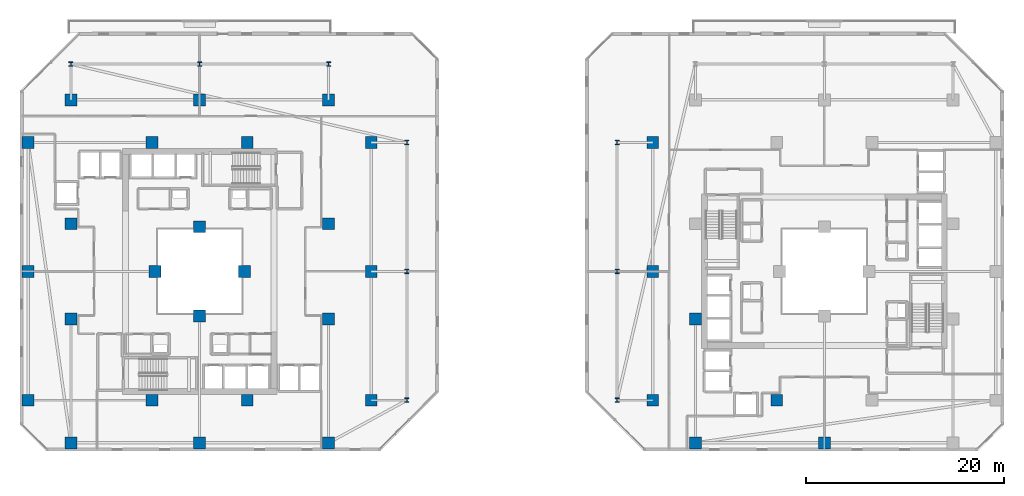
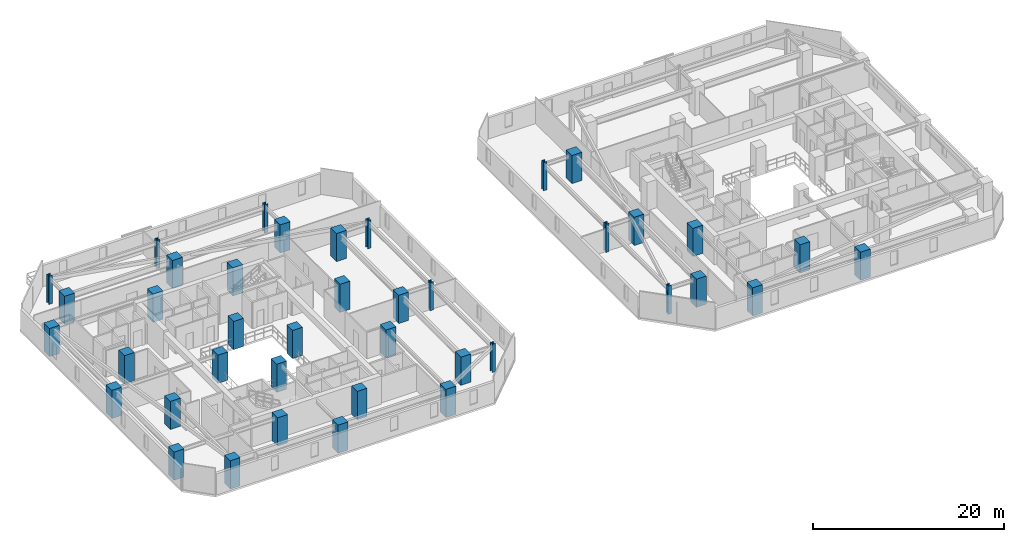
# One storey, part 1 of 30: 40 columns.
"""IFC4 building model written with IfcOpenShell, lengths in metres."""

from ifc_helpers import new_model, si_unit, direction, frame, origin, origin_2d, place, context, subcontext, project, spatial, rectangle, i_section, extrude, material, material_profile, profile_set, type_object, element, save


model = new_model("IFC4")

# Units and contexts
model_context = context("Model", 3, precision=1e-05, world=origin(), true_north=direction((0.0, 1.0)))
body_context = subcontext(model_context, "Body", "Model", "MODEL_VIEW")
ifc_project = project(units=[si_unit("LENGTHUNIT", "METRE"), si_unit("AREAUNIT", "SQUARE_METRE"), si_unit("VOLUMEUNIT", "CUBIC_METRE"), si_unit("PLANEANGLEUNIT", "RADIAN"), si_unit("MASSUNIT", "GRAM", prefix="KILO")], contexts=[model_context])

# Site, building, storey
site_placement = place(None, origin())
site = spatial("IfcSite", under=ifc_project, at=site_placement, CompositionType="ELEMENT")
building_placement = place(site_placement, origin())
building = spatial("IfcBuilding", under=site, at=building_placement, Name="Thornwick Lancets Civic Towers", CompositionType="ELEMENT")
storey_placement = place(building_placement, frame((0.0, 0.0, 80.10009765625)))
storey = spatial("IfcBuildingStorey", under=building, at=storey_placement, Name="L20", CompositionType="ELEMENT", Elevation=80.10009765625)

# Columns
ifc_material_1 = material(Name="Concrete C60/75", Category="concrete")
ifc_material_profile_1 = material_profile(ifc_material_1, rectangle(XDim=1.199951171875, YDim=1.199951171875, at=origin_2d()), Name="RC 1200x1200")
ifc_profile_set_1 = profile_set([ifc_material_profile_1], Name="Concrete C60/75")
column_type_1 = type_object("IfcColumnType", Name="COL_RC_1200", PredefinedType="COLUMN", material=ifc_profile_set_1)
for number, where, z_axis, x_axis, name in (
    (1, (12.5, 9.699951171875, 0.0), (0.0, 0.0, 1.0), (1.0, 0.0, 0.0), "L20 Spine Mega-Column A01"),
    (2, (25.5, 9.699951171875, 0.0), (0.0, 0.0, 1.0), (1.0, 0.0, 0.0), "L20 Spine Mega-Column A02"),
    (3, (38.5, 9.699951171875, 0.0), (0.0, 0.0, 1.0), (1.0, 0.0, 0.0), "L20 Spine Mega-Column A03"),
    (4, (42.800048828125, 14.0, 0.0), (0.0, 0.0, 1.0), (1.0, 0.0, 0.0), "L20 Spine Mega-Column A04"),
    (5, (42.800048828125, 27.0, 0.0), (0.0, 0.0, 1.0), (1.0, 0.0, 0.0), "L20 Spine Mega-Column A05"),
    (6, (42.800048828125, 40.0, 0.0), (0.0, 0.0, 1.0), (1.0, 0.0, 0.0), "L20 Spine Mega-Column A06"),
    (7, (12.5, 44.300048828125, 0.0), (0.0, 0.0, 1.0), (1.0, 0.0, 0.0), "L20 Spine Mega-Column A07"),
    (8, (25.5, 44.300048828125, 0.0), (0.0, 0.0, 1.0), (1.0, 0.0, 0.0), "L20 Spine Mega-Column A08"),
    (9, (38.5, 44.300048828125, 0.0), (0.0, 0.0, 1.0), (1.0, 0.0, 0.0), "L20 Spine Mega-Column A09"),
    (10, (8.199951171875, 14.0, 0.0), (0.0, 0.0, 1.0), (1.0, 0.0, 0.0), "L20 Spine Mega-Column A10"),
    (11, (8.199951171875, 27.0, 0.0), (0.0, 0.0, 1.0), (1.0, 0.0, 0.0), "L20 Spine Mega-Column A11"),
    (12, (8.199951171875, 40.0, 0.0), (0.0, 0.0, 1.0), (1.0, 0.0, 0.0), "L20 Spine Mega-Column A12"),
    (13, (12.5, 22.199951171875, 0.0), (0.0, 0.0, 1.0), (1.0, 0.0, 0.0), "L20 Spine Mega-Column A13"),
    (14, (38.5, 22.199951171875, 0.0), (0.0, 0.0, 1.0), (1.0, 0.0, 0.0), "L20 Spine Mega-Column A14"),
    (15, (12.5, 31.800048828125, 0.0), (0.0, 0.0, 1.0), (1.0, 0.0, 0.0), "L20 Spine Mega-Column A15"),
    (16, (38.5, 31.800048828125, 0.0), (0.0, 0.0, 1.0), (1.0, 0.0, 0.0), "L20 Spine Mega-Column A16"),
    (17, (20.699951171875, 14.0, 0.0), (0.0, 0.0, 1.0), (1.0, 0.0, 0.0), "L20 Spine Mega-Column A17"),
    (18, (30.300048828125, 14.0, 0.0), (0.0, 0.0, 1.0), (1.0, 0.0, 0.0), "L20 Spine Mega-Column A18"),
    (19, (20.699951171875, 40.0, 0.0), (0.0, 0.0, 1.0), (1.0, 0.0, 0.0), "L20 Spine Mega-Column A19"),
    (20, (30.300048828125, 40.0, 0.0), (0.0, 0.0, 1.0), (1.0, 0.0, 0.0), "L20 Spine Mega-Column A20"),
    (21, (25.5, 22.5, 0.0), (0.0, 0.0, 1.0), (1.0, 0.0, 0.0), "L20 Spine Mega-Column A21"),
    (22, (25.5, 31.5, 0.0), (0.0, 0.0, 1.0), (1.0, 0.0, 0.0), "L20 Spine Mega-Column A22"),
    (23, (21.0, 27.0, 0.0), (0.0, 0.0, 1.0), (1.0, 0.0, 0.0), "L20 Spine Mega-Column A23"),
    (24, (30.0, 27.0, 0.0), (0.0, 0.0, 1.0), (1.0, 0.0, 0.0), "L20 Spine Mega-Column A24"),
    (25, (71.199951171875, 14.0, 0.0), (0.0, 0.0, 1.0), (1.0, 0.0, 0.0), "L20 Spine Mega-Column B07"),
    (26, (71.199951171875, 27.0, 0.0), (0.0, 0.0, 1.0), (1.0, 0.0, 0.0), "L20 Spine Mega-Column B08"),
    (27, (71.199951171875, 40.0, 0.0), (0.0, 0.0, 1.0), (1.0, 0.0, 0.0), "L20 Spine Mega-Column B09"),
    (28, (88.5, 9.699951171875, 0.0), (0.0, 0.0, 1.0), (1.0, 0.0, 0.0), "L20 Spine Mega-Column B11"),
    (29, (75.5, 9.699951171875, 0.0), (0.0, 0.0, 1.0), (1.0, 0.0, 0.0), "L20 Spine Mega-Column B12"),
    (30, (83.699951171875, 14.0, 0.0), (0.0, 0.0, 1.0), (1.0, 0.0, 0.0), "L20 Spine Mega-Column B15"),
    (31, (75.5, 22.199951171875, 0.0), (0.0, 0.0, 1.0), (1.0, 0.0, 0.0), "L20 Spine Mega-Column B19"),
):
    element("IfcColumn", number, at=place(storey_placement, frame(where, z_axis=z_axis, x_axis=x_axis)), inside=storey, type_object=column_type_1, Name=name, PredefinedType="COLUMN", context=body_context, shape_type="SweptSolid", body=[
        extrude(rectangle(XDim=1.199951171875, YDim=1.199951171875, at=origin_2d()), origin(), (0.0, 0.0, 1.0), 3.599853515625),
    ])
ifc_material_2 = material(Name="Steel S460M", Category="steel")
ifc_material_profile_2 = material_profile(ifc_material_2, i_section(OverallWidth=0.41845703125, OverallDepth=0.45556640625, WebThickness=0.0419921875, FlangeThickness=0.0673828125, FilletRadius=0.01513671875, at=origin_2d()), Name="UKC 356x406x551")
ifc_profile_set_2 = profile_set([ifc_material_profile_2], Name="Steel S460M")
column_type_2 = type_object("IfcColumnType", Name="COL_UKC_551", PredefinedType="COLUMN", material=ifc_profile_set_2)
for number, where, z_axis, x_axis, name in (
    (32, (46.39990234375, 14.0, 0.0), (0.0, 0.0, 1.0), (1.0, 0.0, 0.0), "L20 Block Perimeter Column A04"),
    (33, (46.39990234375, 27.0, 0.0), (0.0, 0.0, 1.0), (1.0, 0.0, 0.0), "L20 Block Perimeter Column A05"),
    (34, (46.39990234375, 40.0, 0.0), (0.0, 0.0, 1.0), (1.0, 0.0, 0.0), "L20 Block Perimeter Column A06"),
    (35, (12.5, 47.89990234375, 0.0), (0.0, 0.0, 1.0), (1.0, 0.0, 0.0), "L20 Block Perimeter Column A07"),
    (36, (25.5, 47.89990234375, 0.0), (0.0, 0.0, 1.0), (1.0, 0.0, 0.0), "L20 Block Perimeter Column A08"),
    (37, (38.5, 47.89990234375, 0.0), (0.0, 0.0, 1.0), (1.0, 0.0, 0.0), "L20 Block Perimeter Column A09"),
    (38, (67.60009765625, 14.0, 0.0), (0.0, 0.0, 1.0), (1.0, 0.0, 0.0), "L20 Block Perimeter Column B07"),
    (39, (67.60009765625, 27.0, 0.0), (0.0, 0.0, 1.0), (1.0, 0.0, 0.0), "L20 Block Perimeter Column B08"),
    (40, (67.60009765625, 40.0, 0.0), (0.0, 0.0, 1.0), (1.0, 0.0, 0.0), "L20 Block Perimeter Column B09"),
):
    element("IfcColumn", number, at=place(storey_placement, frame(where, z_axis=z_axis, x_axis=x_axis)), inside=storey, type_object=column_type_2, Name=name, PredefinedType="COLUMN", context=body_context, shape_type="SweptSolid", body=[
        extrude(i_section(OverallWidth=0.41845703125, OverallDepth=0.45556640625, WebThickness=0.0419921875, FlangeThickness=0.0673828125, FilletRadius=0.01513671875, at=origin_2d()), origin(), (0.0, 0.0, 1.0), 3.599853515625),
    ])

save(model, "model.ifc")
